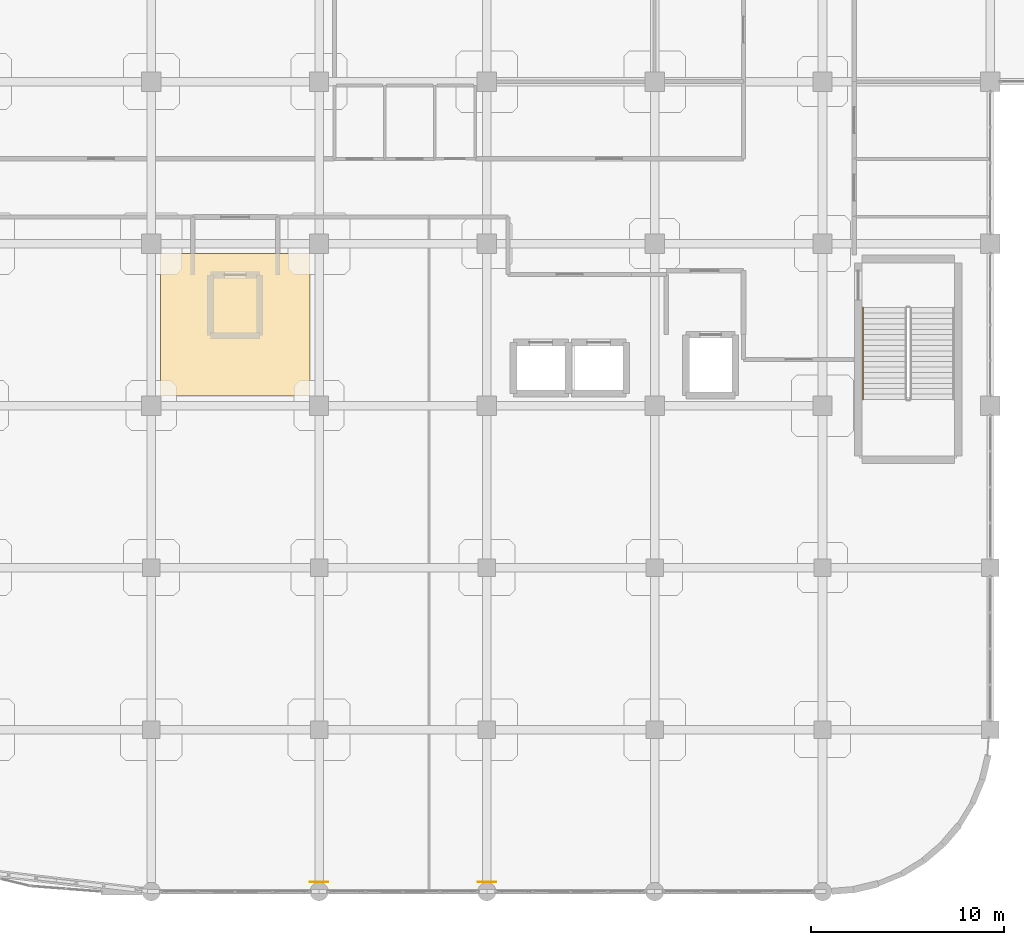
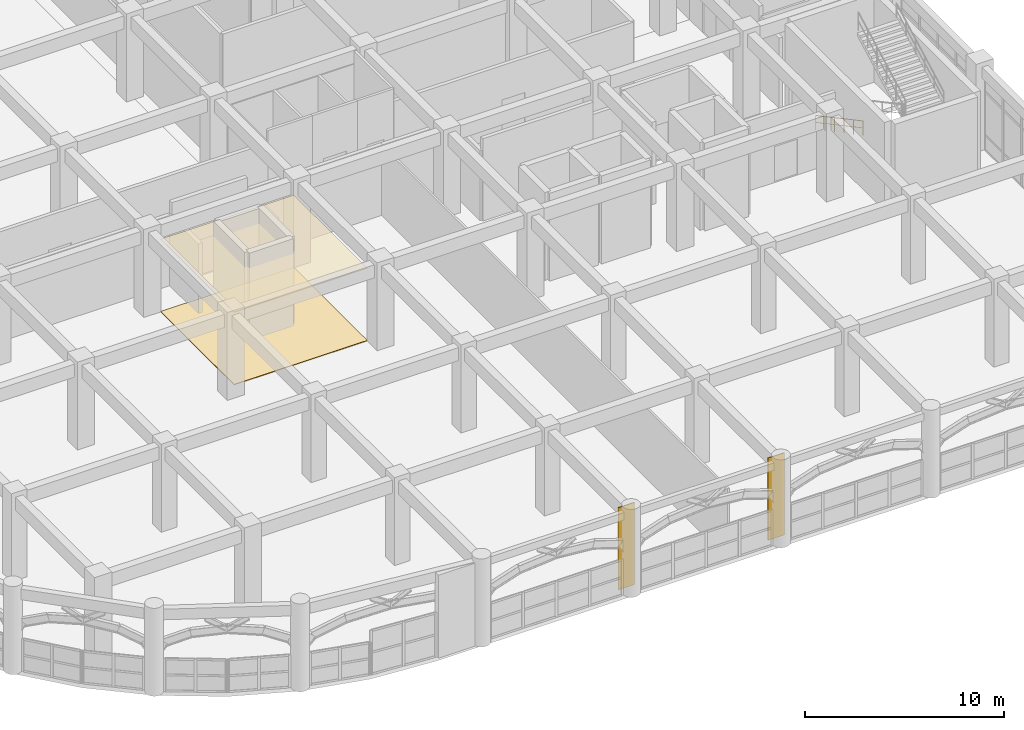
# One storey, part 102 of 114: 4 coverings, 1 railing.
"""IFC4 building model written with IfcOpenShell, lengths in metres."""

from ifc_helpers import new_model, si_unit, derived_unit, direction, frame, origin, origin_2d, place, context, subcontext, project, spatial, polyline, rectangle, circle, outline, extrude, material, layer, layer_set, type_object, element, save


model = new_model("IFC4")

# Units and contexts
model_context = context("Model", 3, precision=1e-05, world=origin(), true_north=direction((0.0, 1.0)))
body_context = subcontext(model_context, "Body", "Model", "MODEL_VIEW")
ifc_project = project(units=[si_unit("LENGTHUNIT", "METRE"), si_unit("AREAUNIT", "SQUARE_METRE"), si_unit("VOLUMEUNIT", "CUBIC_METRE"), si_unit("PLANEANGLEUNIT", "RADIAN"), si_unit("MASSUNIT", "GRAM", prefix="KILO"), derived_unit("THERMALTRANSMITTANCEUNIT", [(si_unit("MASSUNIT", "GRAM", prefix="KILO"), 1), (si_unit("TIMEUNIT", "SECOND"), -3), (si_unit("THERMODYNAMICTEMPERATUREUNIT", "KELVIN"), -1)])], contexts=[model_context])

# Site, building, storey
site_placement = place(None, origin())
site = spatial("IfcSite", under=ifc_project, at=site_placement, CompositionType="ELEMENT")
building_placement = place(site_placement, origin())
building = spatial("IfcBuilding", under=site, at=building_placement, Name="Qinzheling Arcade Emporium", CompositionType="ELEMENT")
storey_placement = place(building_placement, frame((0.0, 0.0, 6.0)))
storey = spatial("IfcBuildingStorey", under=building, at=storey_placement, Name="L02", CompositionType="ELEMENT", Elevation=6.0)

# Coverings
ifc_material_1 = material(Name="Glazed cream terracotta rainscreen cladding", Category="masonry")
ifc_layer_1 = layer(ifc_material_1, 0.044921875, Name="Glazed cream terracotta rainscreen cladding", Category="masonry")
ifc_layer_set_1 = layer_set([ifc_layer_1], Name="Glazed cream terracotta rainscreen cladding")
covering_type_1 = type_object("IfcCoveringType", Name="Glazed Terracotta Pier Cladding Casing 45", PredefinedType="CLADDING", material=ifc_layer_set_1)
for number, where, z_axis, x_axis, name in (
    (1, (34.800048828125, 0.5, 0.0), (0.0, 0.0, 1.0), (1.0, 0.0, 0.0), "Terracotta Pier Cladding L02 3"),
    (2, (43.5, 0.5, 0.0), (0.0, 0.0, 1.0), (1.0, 0.0, 0.0), "Terracotta Pier Cladding L02 4"),
):
    element("IfcCovering", number, at=place(storey_placement, frame(where, z_axis=z_axis, x_axis=x_axis)), inside=storey, type_object=covering_type_1, Name=name, PredefinedType="CLADDING", context=body_context, shape_type="SweptSolid", body=[
        extrude(rectangle(XDim=0.949951171875, YDim=0.044921875, at=origin_2d()), origin(), (0.0, 0.0, 1.0), 5.050048828125),
    ])
ifc_material_2 = material(Name="Mineral-fibre acoustic ceiling board")
ifc_layer_2 = layer(ifc_material_2, 0.02490234375, Name="Mineral-fibre acoustic ceiling board")
ifc_layer_set_2 = layer_set([ifc_layer_2], Name="Mineral-fibre acoustic ceiling board")
covering_type_2 = type_object("IfcCoveringType", Name="Perforated Mineral Acoustic Ceiling 25", PredefinedType="CEILING", material=ifc_layer_set_2)
covering_1_placement = place(storey_placement, frame((0.0, 0.0, 4.449951171875)))
element("IfcCovering", 3, at=covering_1_placement, inside=storey, type_object=covering_type_2, Name="Acoustic Ceiling L02", PredefinedType="CEILING", context=body_context, shape_type="SweptSolid", body=[
    extrude(outline(polyline([(26.580078125, 25.699951171875), (34.320068359375, 25.699951171875), (34.320068359375, 33.10009765625), (26.580078125, 33.10009765625), (26.580078125, 25.699951171875)])), origin(), (0.0, 0.0, 1.0), 0.025146484375),
])
ifc_material_3 = material(Name="Polished terrazzo stone finish", Category="masonry")
ifc_layer_3 = layer(ifc_material_3, 0.034912109375, Name="Polished terrazzo stone finish", Category="masonry")
ifc_layer_set_3 = layer_set([ifc_layer_3], Name="Polished terrazzo stone finish")
covering_type_3 = type_object("IfcCoveringType", Name="Polished Terrazzo Retail Flooring 35", PredefinedType="FLOORING", material=ifc_layer_set_3)
covering_2_placement = place(storey_placement, origin())
element("IfcCovering", 4, at=covering_2_placement, inside=storey, type_object=covering_type_3, Name="Terrazzo Flooring L02", PredefinedType="FLOORING", context=body_context, shape_type="SweptSolid", body=[
    extrude(outline(polyline([(26.580078125, 25.699951171875), (34.320068359375, 25.699951171875), (34.320068359375, 33.10009765625), (26.580078125, 33.10009765625), (26.580078125, 25.699951171875)])), origin(), (0.0, 0.0, 1.0), 0.034912109375),
])

# Railing
ifc_material_4 = material(Name="Brushed stainless steel 304", Category="steel")
railing_type = type_object("IfcRailingType", Name="Stainless Steel Wall Handrail 900", PredefinedType="HANDRAIL", material=ifc_material_4)
railing_placement = place(storey_placement, frame((63.0, 30.280029296875, 0.14990234375)))
element("IfcRailing", 5, at=railing_placement, inside=storey, type_object=railing_type, Name="L02 ST01 stair handrail 1", PredefinedType="HANDRAIL", context=body_context, shape_type="SweptSolid", body=[
    extrude(circle(Radius=0.02392578125, at=origin_2d()), frame((0.0, 0.0, 0.8759765625), z_axis=(0.0, -0.881476609435, 0.47222768557), x_axis=(1.0, 0.0, 0.0)), (0.0, 0.0, 1.0), 5.400146484375),
    extrude(circle(Radius=0.01611328125, at=origin_2d()), frame((0.0, 0.0, 0.449951171875), z_axis=(0.0, -0.881476609435, 0.47222768557), x_axis=(1.0, 0.0, 0.0)), (0.0, 0.0, 1.0), 5.400146484375),
    extrude(circle(Radius=0.02099609375, at=origin_2d()), origin(), (0.0, 0.0, 1.0), 0.851806640625),
    extrude(circle(Radius=0.02099609375, at=origin_2d()), frame((0.0, -0.951904296875, 0.510009765625)), (0.0, 0.0, 1.0), 0.851806640625),
    extrude(circle(Radius=0.02099609375, at=origin_2d()), frame((0.0, -1.904052734375, 1.02001953125)), (0.0, 0.0, 1.0), 0.851806640625),
    extrude(circle(Radius=0.02099609375, at=origin_2d()), frame((0.0, -2.85595703125, 1.530029296875)), (0.0, 0.0, 1.0), 0.851806640625),
    extrude(circle(Radius=0.02099609375, at=origin_2d()), frame((0.0, -3.80810546875, 2.0400390625)), (0.0, 0.0, 1.0), 0.851806640625),
    extrude(circle(Radius=0.02099609375, at=origin_2d()), frame((0.0, -4.760009765625, 2.550048828125)), (0.0, 0.0, 1.0), 0.851806640625),
])

save(model, "model.ifc")
